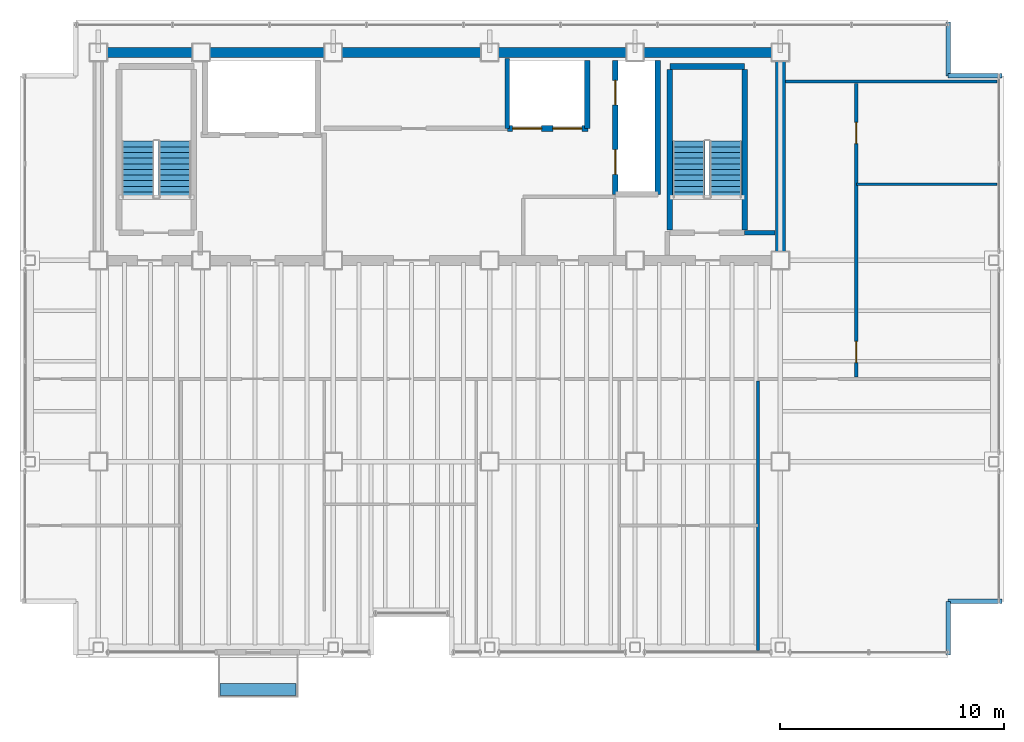
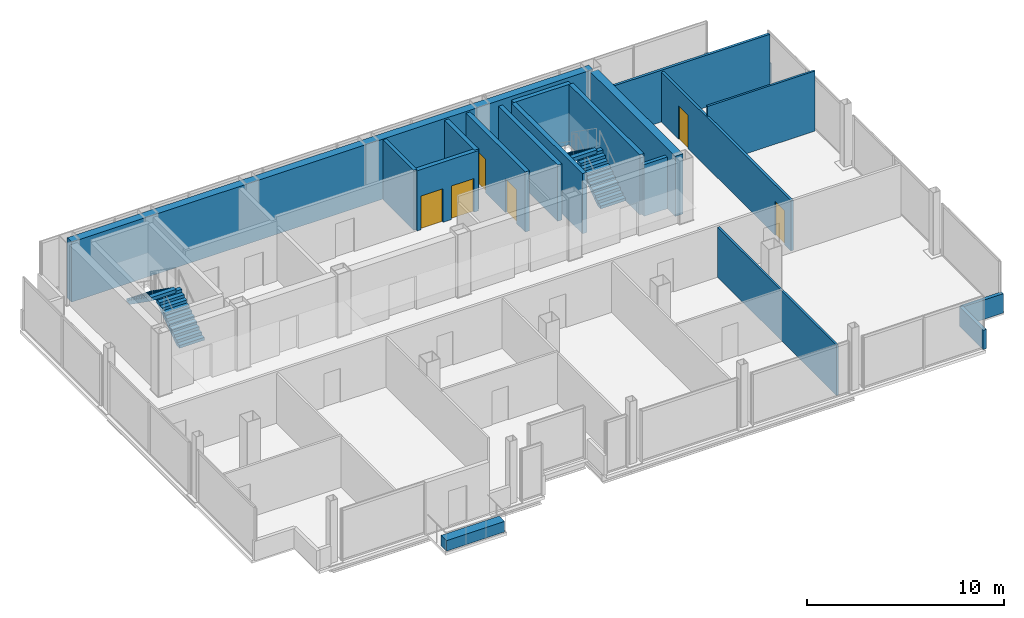
# One storey, part 14 of 15: 19 walls, 6 doors, 4 stair flights, 1 discrete accessory, 6 openings, 2 elements without a shape of their own.
"""IFC4 building model written with IfcOpenShell, lengths in metres."""

import ifcopenshell
import ifcopenshell.guid

model = None  # the IFC model being written
_history = None  # IfcOwnerHistory: only IFC2X3 demands one
_inside = {}  # id of a spatial element -> (the spatial element, [elements in it])
_under = {}  # id of a project, library or spatial element -> (it, [spatial elements below it])
_declared = {}  # id of a project -> (the project, [libraries it declares])
_typed = {}  # id of a type object -> (the type object, [elements of that type])
_made_of = {}  # id of a material, layer set ... -> (it, [elements and type objects made of it])


def new_model(schema):
    """Start an empty IFC model of exactly this schema.

    Asked for "IFC4X3", IfcOpenShell would pick the latest addendum, in which some entities
    have other attributes; the version numbers below select the first issue.
    IFC2X3 requires an IfcOwnerHistory on every rooted entity: one is made here for all.
    """
    global model, _history
    if schema == "IFC4X3":
        model = ifcopenshell.file(schema_version=(4, 3, 0, 0))
    else:
        model = ifcopenshell.file(schema=schema)
    _inside.clear()
    _under.clear()
    _declared.clear()
    _typed.clear()
    _made_of.clear()
    _history = None
    if model.schema == "IFC2X3":
        org = make("IfcOrganization", Name="unknown")
        user = make(
            "IfcPersonAndOrganization",
            ThePerson=make("IfcPerson", FamilyName="unknown"),
            TheOrganization=org,
        )
        app = make(
            "IfcApplication",
            ApplicationDeveloper=org,
            Version="unknown",
            ApplicationFullName="unknown",
            ApplicationIdentifier="unknown",
        )
        _history = make(
            "IfcOwnerHistory",
            OwningUser=user,
            OwningApplication=app,
            ChangeAction="ADDED",
            CreationDate=0,
        )
    return model


def make(cls, **values):
    """One entity of the class cls with the attributes given. An attribute that is None is left unset."""
    return model.create_entity(
        cls, **{name: value for name, value in values.items() if value is not None}
    )


def rooted(cls, **values):
    """An entity with a GlobalId (a new one), such as an element, a storey or a relation."""
    return make(cls, GlobalId=ifcopenshell.guid.new(), OwnerHistory=_history, **values)


def si_unit(unit_type, name, prefix=None):
    """IfcSIUnit, for example si_unit("LENGTHUNIT", "METRE", prefix="MILLI")."""
    return make("IfcSIUnit", UnitType=unit_type, Prefix=prefix, Name=name)


def assignment(units):
    """IfcUnitAssignment: the units of a project."""
    return None if units is None else make("IfcUnitAssignment", Units=units)


def point(xyz):
    """IfcCartesianPoint."""
    return None if xyz is None else make("IfcCartesianPoint", Coordinates=xyz)


def direction(xyz):
    """IfcDirection."""
    return None if xyz is None else make("IfcDirection", DirectionRatios=xyz)


def frame(location, z_axis=None, x_axis=None):
    """IfcAxis2Placement3D, a coordinate frame: its origin and axes. An axis left out is left unset."""
    return make(
        "IfcAxis2Placement3D",
        Location=point(location),
        Axis=direction(z_axis),
        RefDirection=direction(x_axis),
    )


def frame_2d(location, x_axis=None):
    """IfcAxis2Placement2D, a coordinate frame in the plane: its origin and x axis."""
    return make(
        "IfcAxis2Placement2D", Location=point(location), RefDirection=direction(x_axis)
    )


def origin():
    """The frame at (0, 0, 0) with its axes left unset."""
    return frame((0.0, 0.0, 0.0))


def origin_2d():
    """The frame at (0, 0) in the plane with its x axis left unset."""
    return frame_2d((0.0, 0.0))


def place(relative_to, where):
    """IfcLocalPlacement: puts the frame where relative to a parent placement (None: the world)."""
    return make(
        "IfcLocalPlacement", PlacementRelTo=relative_to, RelativePlacement=where
    )


def context(
    kind, dimensions, precision=None, world=None, true_north=None, identifier=None
):
    """IfcGeometricRepresentationContext, for example the 3D "Model" context."""
    return make(
        "IfcGeometricRepresentationContext",
        ContextIdentifier=identifier,
        ContextType=kind,
        CoordinateSpaceDimension=dimensions,
        Precision=precision,
        WorldCoordinateSystem=world,
        TrueNorth=true_north,
    )


def subcontext(parent, identifier, kind, view, scale=None):
    """IfcGeometricRepresentationSubContext, for example "Body" below "Model"."""
    return make(
        "IfcGeometricRepresentationSubContext",
        ContextIdentifier=identifier,
        ContextType=kind,
        ParentContext=parent,
        TargetScale=scale,
        TargetView=view,
    )


def project(units=None, contexts=None):
    """IfcProject with its units and contexts."""
    return rooted(
        "IfcProject",
        Name="project",
        RepresentationContexts=contexts,
        UnitsInContext=assignment(units),
    )


def spatial(cls, under=None, at=None, **own):
    """A site, building, storey or space (cls), placed at a placement, below another one or the project."""
    s = rooted(cls, ObjectPlacement=at, **own)
    if under is not None:
        _under.setdefault(under.id(), (under, []))[1].append(s)
    return s


def polyline(points):
    """IfcPolyline through the points."""
    return make("IfcPolyline", Points=[point(p) for p in points])


def profile(cls, at=None, kind="AREA", **sizes):
    """A parametric profile (cls). Its sizes go by their IFC names, for example OverallWidth=200.0."""
    return make(cls, ProfileType=kind, Position=at, **sizes)


def rectangle(**sizes):
    """IfcRectangleProfileDef."""
    return profile("IfcRectangleProfileDef", **sizes)


def outline(outer, holes=None, kind="AREA"):
    """IfcArbitraryClosedProfileDef: a profile drawn as a closed curve; with holes, ...WithVoids."""
    if holes is None:
        return make("IfcArbitraryClosedProfileDef", ProfileType=kind, OuterCurve=outer)
    return make(
        "IfcArbitraryProfileDefWithVoids",
        ProfileType=kind,
        OuterCurve=outer,
        InnerCurves=holes,
    )


def extrude(swept, where, along, depth):
    """IfcExtrudedAreaSolid: the profile swept, set in the frame where, extruded along a direction by depth."""
    return make(
        "IfcExtrudedAreaSolid",
        SweptArea=swept,
        Position=where,
        ExtrudedDirection=direction(along),
        Depth=depth,
    )


def shape(context_of_items, identifier, shape_type, items):
    """IfcShapeRepresentation: the items that make up one representation, for example the "Body"."""
    return make(
        "IfcShapeRepresentation",
        ContextOfItems=context_of_items,
        RepresentationIdentifier=identifier,
        RepresentationType=shape_type,
        Items=items,
    )


def material(Name=None, Category=None):
    """IfcMaterial."""
    return make("IfcMaterial", Name=Name, Category=Category)


def layer(
    of_material, thickness, ventilated=None, Name=None, Category=None, Priority=None
):
    """IfcMaterialLayer: one layer of a wall or slab, of a material (None: an air gap)."""
    return make(
        "IfcMaterialLayer",
        Material=of_material,
        LayerThickness=thickness,
        IsVentilated=ventilated,
        Name=Name,
        Category=Category,
        Priority=Priority,
    )


def layer_set(layers, Name=None):
    """IfcMaterialLayerSet."""
    return make("IfcMaterialLayerSet", MaterialLayers=layers, LayerSetName=Name)


def made_of(thing, what):
    """Note that an element or type object is made of a material, layer set ...; save() writes the relation."""
    if what is not None:
        _made_of.setdefault(what.id(), (what, []))[1].append(thing)
    return thing


def type_object(cls, material=None, **own):
    """A type object (cls), such as IfcWallType, which elements share."""
    return made_of(rooted(cls, **own), material)


def element(
    cls,
    number,
    at=None,
    inside=None,
    cuts=None,
    type_object=None,
    material=None,
    context=None,
    identifier="Body",
    shape_type=None,
    held_by="IfcProductDefinitionShape",
    body=None,
    shapes=None,
    **own,
):
    """One element of the class cls, such as IfcWall. Its Tag is "e" and its number.

    at: its placement. inside: the storey or other place that contains it. cuts: it is an
    opening in that element (IfcRelVoidsElement). A single representation is given by context,
    identifier, shape_type and body (its items); several are given by shapes. held_by: the class
    of the entity that holds the representations. save() writes the other relations.
    """
    e = rooted(cls, Tag="e%d" % number, ObjectPlacement=at, **own)
    if body is not None:
        shapes = [shape(context, identifier, shape_type, body)]
    if shapes is not None:
        e.Representation = make(held_by, Representations=shapes)
    if inside is not None:
        _inside.setdefault(inside.id(), (inside, []))[1].append(e)
    if cuts is not None:
        rooted(
            "IfcRelVoidsElement", RelatingBuildingElement=cuts, RelatedOpeningElement=e
        )
    if type_object is not None:
        _typed.setdefault(type_object.id(), (type_object, []))[1].append(e)
    return made_of(e, material)


def fill(opening, filler):
    """IfcRelFillsElement: the door or window that sits in an opening."""
    return rooted(
        "IfcRelFillsElement",
        RelatingOpeningElement=opening,
        RelatedBuildingElement=filler,
    )


def aggregate(whole, parts):
    """IfcRelAggregates: a whole, such as a stair, and the parts it consists of."""
    return rooted("IfcRelAggregates", RelatingObject=whole, RelatedObjects=parts)


def save(model, path):
    """Write the relations noted so far, then the file.

    IfcRelAggregates (storeys below a building ...), IfcRelContainedInSpatialStructure (elements
    in a storey), IfcRelDefinesByType, IfcRelAssociatesMaterial and IfcRelDeclares: one each for
    every whole, place, type object, material and project.
    """
    for whole, parts in _under.values():
        aggregate(whole, parts)
    for where, things in _inside.values():
        rooted(
            "IfcRelContainedInSpatialStructure",
            RelatedElements=things,
            RelatingStructure=where,
        )
    for kind, things in _typed.values():
        rooted("IfcRelDefinesByType", RelatedObjects=things, RelatingType=kind)
    for what, things in _made_of.values():
        rooted("IfcRelAssociatesMaterial", RelatedObjects=things, RelatingMaterial=what)
    for by, libraries in _declared.values():
        rooted("IfcRelDeclares", RelatingContext=by, RelatedDefinitions=libraries)
    model.write(path)


model = new_model("IFC4")

# Units and contexts
model_context = context("Model", 3, precision=1e-05, world=origin(), true_north=direction((0.0, 1.0)))
body_context = subcontext(model_context, "Body", "Model", "MODEL_VIEW")
ifc_project = project(units=[si_unit("LENGTHUNIT", "METRE"), si_unit("AREAUNIT", "SQUARE_METRE"), si_unit("VOLUMEUNIT", "CUBIC_METRE"), si_unit("PLANEANGLEUNIT", "RADIAN"), si_unit("MASSUNIT", "GRAM", prefix="KILO")], contexts=[model_context])

# Site, building, storey
site_placement = place(None, origin())
site = spatial("IfcSite", under=ifc_project, at=site_placement, CompositionType="ELEMENT")
building_placement = place(site_placement, origin())
building = spatial("IfcBuilding", under=site, at=building_placement, Name="Noeulbin Bourse Tower", CompositionType="ELEMENT")
storey_placement = place(building_placement, frame((0.0, 0.0, 218.89990234375)))
storey = spatial("IfcBuildingStorey", under=building, at=storey_placement, Name="L54", CompositionType="ELEMENT", Elevation=218.89990234375)

# Walls
ifc_material_1 = material(Name="Concrete C50/60", Category="concrete")
ifc_layer_1 = layer(ifc_material_1, 0.449951171875)
ifc_layer_set_1 = layer_set([ifc_layer_1], Name="Concrete C50/60")
wall_type_1 = type_object("IfcWallType", Name="WAL-CORE-450", PredefinedType="SHEAR", material=ifc_layer_set_1)
wall_1_placement = place(storey_placement, frame((13.5, 38.300048828125, 0.0), z_axis=(0.0, 0.0, 1.0), x_axis=(1.0, 0.0, 0.0)))
element("IfcWall", 1, at=wall_1_placement, inside=storey, type_object=wall_type_1, Name="Rear Core North Shear Wall L54", PredefinedType="SHEAR", context=body_context, shape_type="SweptSolid", body=[
    extrude(rectangle(XDim=30.5, YDim=0.449951171875, at=frame_2d((15.25, 0.0))), origin(), (0.0, 0.0, 1.0), 3.72021484375),
])
wall_2_placement = place(storey_placement, frame((44.0, 29.35009765625, 0.0), z_axis=(0.0, 0.0, 1.0), x_axis=(0.0, 1.0, 0.0)))
element("IfcWall", 2, at=wall_2_placement, inside=storey, type_object=wall_type_1, Name="Rear Core East Shear Wall L54", PredefinedType="SHEAR", context=body_context, shape_type="SweptSolid", body=[
    extrude(rectangle(XDim=8.599853515625, YDim=0.449951171875, at=frame_2d((4.2998046875, 0.0))), origin(), (0.0, 0.0, 1.0), 3.72021484375),
])
ifc_material_2 = material(Name="Concrete C40/50", Category="concrete")
ifc_layer_2 = layer(ifc_material_2, 0.199951171875)
ifc_layer_set_2 = layer_set([ifc_layer_2], Name="Concrete C40/50")
wall_type_2 = type_object("IfcWallType", Name="WAL-FIRE-200", PredefinedType="STANDARD", material=ifc_layer_set_2)
wall_3_placement = place(storey_placement, frame((42.39990234375, 30.239990234375, 0.0), z_axis=(0.0, 0.0, 1.0), x_axis=(1.0, 0.0, 0.0)))
element("IfcWall", 3, at=wall_3_placement, inside=storey, type_object=wall_type_2, Name="Interior Partition Wall L54-01", PredefinedType="STANDARD", context=body_context, shape_type="SweptSolid", body=[
    extrude(rectangle(XDim=1.364990234375, YDim=0.199951171875, at=frame_2d((0.6826171875, 0.0))), origin(), (0.0, 0.0, 1.0), 3.2001953125),
])
ifc_layer_3 = layer(ifc_material_2, 0.199951171875)
ifc_layer_set_3 = layer_set([ifc_layer_3], Name="Concrete C40/50")
wall_type_3 = type_object("IfcWallType", Name="WAL-PAR-200", PredefinedType="PARAPET", material=ifc_layer_set_3)
for number, where, z_axis, x_axis, name in (
    (4, (51.5, 11.35009765625, 0.0), (0.0, 0.0, 1.0), (0.0, 1.0, 0.0), "Corner Notch Parapet L54-SE1"),
    (5, (51.5, 13.75, 0.0), (0.0, 0.0, 1.0), (1.0, 0.0, 0.0), "Corner Notch Parapet L54-SE2"),
    (6, (51.5, 39.64990234375, 0.0), (0.0, 0.0, 1.0), (0.0, -1.0, 0.0), "Corner Notch Parapet L54-NE1"),
    (7, (51.5, 37.25, 0.0), (0.0, 0.0, 1.0), (1.0, 0.0, 0.0), "Corner Notch Parapet L54-NE2"),
):
    element("IfcWall", number, at=place(storey_placement, frame(where, z_axis=z_axis, x_axis=x_axis)), inside=storey, type_object=wall_type_3, Name=name, PredefinedType="PARAPET", context=body_context, shape_type="SweptSolid", body=[
        extrude(rectangle(XDim=2.39990234375, YDim=0.199951171875, at=frame_2d((1.199951171875, 0.0))), origin(), (0.0, 0.0, 1.0), 1.2001953125),
    ])
ifc_material_3 = material(Name="Steel Stud Gypsum Partition", Category="steel")
ifc_layer_4 = layer(ifc_material_3, 0.1201171875)
ifc_layer_set_4 = layer_set([ifc_layer_4], Name="Steel Stud Gypsum Partition")
wall_type_4 = type_object("IfcWallType", Name="WAL-PRT-120", PredefinedType="PARTITIONING", material=ifc_layer_set_4)
wall_4_placement = place(storey_placement, frame((47.39990234375, 32.39990234375, 0.0), z_axis=(0.0, 0.0, 1.0), x_axis=(1.0, 0.0, 0.0)))
element("IfcWall", 8, at=wall_4_placement, inside=storey, type_object=wall_type_4, Name="Interior Partition Wall L54-09", PredefinedType="PARTITIONING", context=body_context, shape_type="SweptSolid", body=[
    extrude(rectangle(XDim=6.2900390625, YDim=0.1201171875, at=frame_2d((3.14501953125, 0.0))), origin(), (0.0, 0.0, 1.0), 3.72021484375),
])
wall_5_placement = place(storey_placement, frame((43.0, 11.56005859375, 0.0), z_axis=(0.0, 0.0, 1.0), x_axis=(0.0, 1.0, 0.0)))
element("IfcWall", 9, at=wall_5_placement, inside=storey, type_object=wall_type_4, Name="Interior Partition Wall L54-20", PredefinedType="PARTITIONING", context=body_context, shape_type="SweptSolid", body=[
    extrude(rectangle(XDim=12.054931640625, YDim=0.1201171875, at=frame_2d((6.02734375, 0.0))), origin(), (0.0, 0.0, 1.0), 3.10009765625),
])
ifc_material_4 = material(Name="Steel Stud Acoustic Gypsum Board", Category="steel")
ifc_layer_5 = layer(ifc_material_4, 0.14990234375)
ifc_layer_set_5 = layer_set([ifc_layer_5], Name="Steel Stud Acoustic Gypsum Board")
wall_type_5 = type_object("IfcWallType", Name="WAL-PRT-150", PredefinedType="PARTITIONING", material=ifc_layer_set_5)
wall_6_placement = place(storey_placement, frame((44.235107421875, 37.0, 0.0), z_axis=(0.0, 0.0, 1.0), x_axis=(1.0, 0.0, 0.0)))
element("IfcWall", 10, at=wall_6_placement, inside=storey, type_object=wall_type_5, Name="Interior Partition Wall L54-05", PredefinedType="PARTITIONING", context=body_context, shape_type="SweptSolid", body=[
    extrude(rectangle(XDim=9.454833984375, YDim=0.14990234375, at=frame_2d((4.7275390625, 0.0))), origin(), (0.0, 0.0, 1.0), 3.2001953125),
])

# Wall, openings, doors
wall_7_placement = place(storey_placement, frame((47.39990234375, 23.784912109375, 0.0), z_axis=(0.0, 0.0, 1.0), x_axis=(0.0, 1.0, 0.0)))
wall_7 = element("IfcWall", 11, at=wall_7_placement, inside=storey, type_object=wall_type_5, Name="Interior Partition Wall L54-15", PredefinedType="PARTITIONING", context=body_context, shape_type="SweptSolid", body=[
    extrude(rectangle(XDim=13.130126953125, YDim=0.14990234375, at=frame_2d((6.56494140625, 0.0))), origin(), (0.0, 0.0, 1.0), 3.10009765625),
])
opening_1_placement = place(wall_7_placement, frame((0.639892578125, 0.0, 0.0)))
opening_1 = element("IfcOpeningElement", 12, at=opening_1_placement, cuts=wall_7, Name="Opening ID-09", PredefinedType="OPENING", context=body_context, shape_type="SweptSolid", body=[
    extrude(rectangle(XDim=0.949951171875, YDim=2.080078125, at=frame_2d((0.47509765625, 1.0400390625))), frame((0.0, 0.0849609375, 0.0), z_axis=(0.0, -1.0, 0.0), x_axis=(1.0, 0.0, 0.0)), (0.0, 0.0, 1.0), 0.169921875),
])
opening_2_placement = place(wall_7_placement, frame((10.43994140625, 0.0, 0.0)))
opening_2 = element("IfcOpeningElement", 13, at=opening_2_placement, cuts=wall_7, Name="Opening ID-09", PredefinedType="OPENING", context=body_context, shape_type="SweptSolid", body=[
    extrude(rectangle(XDim=0.949951171875, YDim=2.080078125, at=frame_2d((0.47509765625, 1.0400390625))), frame((0.0, 0.0849609375, 0.0), z_axis=(0.0, -1.0, 0.0), x_axis=(1.0, 0.0, 0.0)), (0.0, 0.0, 1.0), 0.169921875),
])
ifc_material_5 = material(Name="Acoustic Solid-Core Timber", Category="wood")
door_type_1 = type_object("IfcDoorType", Name="DR-SINGLE-950", OperationType="SINGLE_SWING_LEFT", PredefinedType="DOOR", material=ifc_material_5)
door_1_placement = place(opening_1_placement, origin())
door_1 = element("IfcDoor", 14, at=door_1_placement, inside=storey, type_object=door_type_1, Name="Interior Door L54-16", OperationType="SINGLE_SWING_RIGHT", OverallHeight=2.080078125, OverallWidth=0.949951171875, PredefinedType="DOOR", context=body_context, shape_type="SweptSolid", body=[
    extrude(rectangle(XDim=0.949951171875, YDim=2.080078125, at=frame_2d((0.47509765625, 1.0400390625))), frame((0.0, 0.02490234375, 0.0), z_axis=(0.0, -1.0, 0.0), x_axis=(1.0, 0.0, 0.0)), (0.0, 0.0, 1.0), 0.050048828125),
])
fill(opening_1, door_1)
door_2_placement = place(opening_2_placement, origin())
door_2 = element("IfcDoor", 15, at=door_2_placement, inside=storey, type_object=door_type_1, Name="Interior Door L54-17", OperationType="SINGLE_SWING_LEFT", OverallHeight=2.080078125, OverallWidth=0.949951171875, PredefinedType="DOOR", context=body_context, shape_type="SweptSolid", body=[
    extrude(rectangle(XDim=0.949951171875, YDim=2.080078125, at=frame_2d((0.47509765625, 1.0400390625))), frame((0.0, 0.02490234375, 0.0), z_axis=(0.0, -1.0, 0.0), x_axis=(1.0, 0.0, 0.0)), (0.0, 0.0, 1.0), 0.050048828125),
])
fill(opening_2, door_2)

# Walls
ifc_layer_6 = layer(ifc_material_2, 0.25)
ifc_layer_set_6 = layer_set([ifc_layer_6], Name="Concrete C40/50")
wall_type_6 = type_object("IfcWallType", Name="WAL-SHFT-250", PredefinedType="STANDARD", material=ifc_layer_set_6)
wall_8_placement = place(storey_placement, frame((39.06005859375, 37.6689453125, 0.0), z_axis=(0.0, 0.0, 1.0), x_axis=(1.0, 0.0, 0.0)))
element("IfcWall", 16, at=wall_8_placement, inside=storey, type_object=wall_type_6, Name="Stair ST-2 North Shaft Wall L54", PredefinedType="STANDARD", context=body_context, shape_type="SweptSolid", body=[
    extrude(rectangle(XDim=3.33984375, YDim=0.25, at=frame_2d((1.669921875, 0.0))), origin(), (0.0, 0.0, 1.0), 3.72021484375),
])
for number, where, z_axis, x_axis, name in (
    (17, (39.054931640625, 30.360107421875, 0.0), (0.0, 0.0, 1.0), (0.0, 1.0, 0.0), "Stair ST-2 West Shaft Wall L54"),
    (18, (42.405029296875, 30.360107421875, 0.0), (0.0, 0.0, 1.0), (0.0, 1.0, 0.0), "Stair ST-2 East Shaft Wall L54"),
):
    element("IfcWall", number, at=place(storey_placement, frame(where, z_axis=z_axis, x_axis=x_axis)), inside=storey, type_object=wall_type_6, Name=name, PredefinedType="STANDARD", context=body_context, shape_type="SweptSolid", body=[
        extrude(rectangle(XDim=7.183837890625, YDim=0.25, at=frame_2d((3.591796875, 0.0))), origin(), (0.0, 0.0, 1.0), 3.72021484375),
    ])

# Wall, openings, doors
wall_9_placement = place(storey_placement, frame((36.6201171875, 31.949951171875, 0.0), z_axis=(0.0, 0.0, 1.0), x_axis=(0.0, 1.0, 0.0)))
wall_9 = element("IfcWall", 19, at=wall_9_placement, inside=storey, type_object=wall_type_6, Name="Service Lift Shaft Wall L54", PredefinedType="STANDARD", context=body_context, shape_type="SweptSolid", body=[
    extrude(rectangle(XDim=6.0, YDim=0.25, at=frame_2d((3.0, 0.0))), origin(), (0.0, 0.0, 1.0), 3.72021484375),
])
opening_3_placement = place(wall_9_placement, frame((0.89990234375, 0.0, 0.0)))
opening_3 = element("IfcOpeningElement", 20, at=opening_3_placement, cuts=wall_9, Name="Opening LD-11", PredefinedType="OPENING", context=body_context, shape_type="SweptSolid", body=[
    extrude(rectangle(XDim=1.10009765625, YDim=2.080078125, at=frame_2d((0.550048828125, 1.0400390625))), frame((0.0, 0.135009765625, 0.0), z_axis=(0.0, -1.0, 0.0), x_axis=(1.0, 0.0, 0.0)), (0.0, 0.0, 1.0), 0.27001953125),
])
opening_4_placement = place(wall_9_placement, frame((4.0, 0.0, 0.0)))
opening_4 = element("IfcOpeningElement", 21, at=opening_4_placement, cuts=wall_9, Name="Opening LD-11", PredefinedType="OPENING", context=body_context, shape_type="SweptSolid", body=[
    extrude(rectangle(XDim=1.10009765625, YDim=2.080078125, at=frame_2d((0.550048828125, 1.0400390625))), frame((0.0, 0.135009765625, 0.0), z_axis=(0.0, -1.0, 0.0), x_axis=(1.0, 0.0, 0.0)), (0.0, 0.0, 1.0), 0.27001953125),
])
ifc_material_6 = material(Name="Brushed Stainless Steel 316", Category="steel")
door_type_2 = type_object("IfcDoorType", Name="DR-LIFT-1100", OperationType="SLIDING_TO_LEFT", PredefinedType="DOOR", material=ifc_material_6)
door_3_placement = place(opening_3_placement, origin())
door_3 = element("IfcDoor", 22, at=door_3_placement, inside=storey, type_object=door_type_2, Name="Lift Landing Door LD-EL-01-L54", OperationType="SLIDING_TO_LEFT", OverallHeight=2.080078125, OverallWidth=1.10009765625, PredefinedType="DOOR", context=body_context, shape_type="SweptSolid", body=[
    extrude(rectangle(XDim=1.10009765625, YDim=2.080078125, at=frame_2d((0.550048828125, 1.0400390625))), frame((0.0, 0.02490234375, 0.0), z_axis=(0.0, -1.0, 0.0), x_axis=(1.0, 0.0, 0.0)), (0.0, 0.0, 1.0), 0.050048828125),
])
fill(opening_3, door_3)
door_4_placement = place(opening_4_placement, origin())
door_4 = element("IfcDoor", 23, at=door_4_placement, inside=storey, type_object=door_type_2, Name="Lift Landing Door LD-SV-01-L54", OperationType="SLIDING_TO_LEFT", OverallHeight=2.080078125, OverallWidth=1.10009765625, PredefinedType="DOOR", context=body_context, shape_type="SweptSolid", body=[
    extrude(rectangle(XDim=1.10009765625, YDim=2.080078125, at=frame_2d((0.550048828125, 1.0400390625))), frame((0.0, 0.02490234375, 0.0), z_axis=(0.0, -1.0, 0.0), x_axis=(1.0, 0.0, 0.0)), (0.0, 0.0, 1.0), 0.050048828125),
])
fill(opening_4, door_4)

# Walls
wall_10_placement = place(storey_placement, frame((38.52001953125, 31.949951171875, 0.0), z_axis=(0.0, 0.0, 1.0), x_axis=(0.0, 1.0, 0.0)))
element("IfcWall", 24, at=wall_10_placement, inside=storey, type_object=wall_type_6, Name="Service Lift East Shaft Wall L54", PredefinedType="STANDARD", context=body_context, shape_type="SweptSolid", body=[
    extrude(rectangle(XDim=6.0, YDim=0.25, at=frame_2d((3.0, 0.0))), origin(), (0.0, 0.0, 1.0), 3.47998046875),
])
wall_11_placement = place(storey_placement, frame((35.360107421875, 34.89990234375, 0.0), z_axis=(0.0, 0.0, 1.0), x_axis=(0.0, 1.0, 0.0)))
element("IfcWall", 25, at=wall_11_placement, inside=storey, type_object=wall_type_6, Name="High-Rise Lift East Shaft Wall L54", PredefinedType="STANDARD", context=body_context, shape_type="SweptSolid", body=[
    extrude(rectangle(XDim=3.050048828125, YDim=0.25, at=frame_2d((1.52490234375, 0.0))), origin(), (0.0, 0.0, 1.0), 3.72021484375),
])

# Wall, openings, doors
wall_12_placement = place(storey_placement, frame((31.800048828125, 34.89990234375, 0.0), z_axis=(0.0, 0.0, 1.0), x_axis=(1.0, 0.0, 0.0)))
wall_12 = element("IfcWall", 26, at=wall_12_placement, inside=storey, type_object=wall_type_6, Name="High-Rise Lift Bank Front L54", PredefinedType="STANDARD", context=body_context, shape_type="SweptSolid", body=[
    extrude(rectangle(XDim=3.599853515625, YDim=0.25, at=frame_2d((1.7998046875, 0.0))), origin(), (0.0, 0.0, 1.0), 3.72021484375),
])
opening_5_placement = place(wall_12_placement, frame((0.22998046875, 0.0, 0.0)))
opening_5 = element("IfcOpeningElement", 27, at=opening_5_placement, cuts=wall_12, Name="Opening LD-13", PredefinedType="OPENING", context=body_context, shape_type="SweptSolid", body=[
    extrude(rectangle(XDim=1.300048828125, YDim=2.080078125, at=frame_2d((0.64990234375, 1.0400390625))), frame((0.0, 0.135009765625, 0.0), z_axis=(0.0, -1.0, 0.0), x_axis=(1.0, 0.0, 0.0)), (0.0, 0.0, 1.0), 0.27001953125),
])
opening_6_placement = place(wall_12_placement, frame((2.030029296875, 0.0, 0.0)))
opening_6 = element("IfcOpeningElement", 28, at=opening_6_placement, cuts=wall_12, Name="Opening LD-13", PredefinedType="OPENING", context=body_context, shape_type="SweptSolid", body=[
    extrude(rectangle(XDim=1.300048828125, YDim=2.080078125, at=frame_2d((0.64990234375, 1.0400390625))), frame((0.0, 0.135009765625, 0.0), z_axis=(0.0, -1.0, 0.0), x_axis=(1.0, 0.0, 0.0)), (0.0, 0.0, 1.0), 0.27001953125),
])
door_type_3 = type_object("IfcDoorType", Name="DR-LIFT-1300", OperationType="DOUBLE_DOOR_SLIDING", PredefinedType="DOOR", material=ifc_material_6)
door_5_placement = place(opening_5_placement, origin())
door_5 = element("IfcDoor", 29, at=door_5_placement, inside=storey, type_object=door_type_3, Name="Lift Landing Door LD-PL-H1-L54", OperationType="DOUBLE_DOOR_SLIDING", OverallHeight=2.080078125, OverallWidth=1.300048828125, PredefinedType="DOOR", context=body_context, shape_type="SweptSolid", body=[
    extrude(rectangle(XDim=1.300048828125, YDim=2.080078125, at=frame_2d((0.64990234375, 1.0400390625))), frame((0.0, 0.02490234375, 0.0), z_axis=(0.0, -1.0, 0.0), x_axis=(1.0, 0.0, 0.0)), (0.0, 0.0, 1.0), 0.050048828125),
])
fill(opening_5, door_5)
door_6_placement = place(opening_6_placement, origin())
door_6 = element("IfcDoor", 30, at=door_6_placement, inside=storey, type_object=door_type_3, Name="Lift Landing Door LD-PL-H2-L54", OperationType="DOUBLE_DOOR_SLIDING", OverallHeight=2.080078125, OverallWidth=1.300048828125, PredefinedType="DOOR", context=body_context, shape_type="SweptSolid", body=[
    extrude(rectangle(XDim=1.300048828125, YDim=2.080078125, at=frame_2d((0.64990234375, 1.0400390625))), frame((0.0, 0.02490234375, 0.0), z_axis=(0.0, -1.0, 0.0), x_axis=(1.0, 0.0, 0.0)), (0.0, 0.0, 1.0), 0.050048828125),
])
fill(opening_6, door_6)

# Wall
wall_13_placement = place(storey_placement, frame((31.780029296875, 34.89990234375, 0.0), z_axis=(0.0, 0.0, 1.0), x_axis=(0.0, 1.0, 0.0)))
element("IfcWall", 31, at=wall_13_placement, inside=storey, type_object=wall_type_6, Name="Hoistway Side Shaft Wall L54-PLHW", PredefinedType="STANDARD", context=body_context, shape_type="SweptSolid", body=[
    extrude(rectangle(XDim=3.1201171875, YDim=0.199951171875, at=frame_2d((1.56005859375, 0.0))), origin(), (0.0, 0.0, 1.0), 3.72021484375),
])

# Stair, stair flights
stair_type = type_object("IfcStairType", Name="STR-CORE-1560", PredefinedType="HALF_TURN_STAIR", material=ifc_material_2)
stair_1_placement = place(storey_placement, origin())
stair_1 = element("IfcStair", 32, at=stair_1_placement, inside=storey, type_object=stair_type, Name="L54 ST-1", PredefinedType="HALF_TURN_STAIR")
stair_flight_type = type_object("IfcStairFlightType", Name="SFL-CORE-1560", PredefinedType="STRAIGHT", material=ifc_material_2)
stair_flight_1_placement = place(storey_placement, frame((16.925048828125, 31.81005859375, 0.0), z_axis=(0.0, 0.0, 1.0), x_axis=(0.0, 1.0, 0.0)))
stair_flight_1 = element("IfcStairFlight", 33, at=stair_flight_1_placement, type_object=stair_flight_type, Name="ST-1 flight 1", NumberOfRisers=11, NumberOfTreads=10, PredefinedType="STRAIGHT", RiserHeight=0.177272727, TreadLength=0.252, context=body_context, shape_type="SweptSolid", body=[
    extrude(outline(polyline([(0.0, 0.0), (0.0, 0.17724609375), (0.251953125, 0.17724609375), (0.251953125, 0.3544921875), (0.50390625, 0.3544921875), (0.50390625, 0.53173828125), (0.756103515625, 0.53173828125), (0.756103515625, 0.708984375), (1.008056640625, 0.708984375), (1.008056640625, 0.886474609375), (1.260009765625, 0.886474609375), (1.260009765625, 1.063720703125), (1.511962890625, 1.063720703125), (1.511962890625, 1.240966796875), (1.763916015625, 1.240966796875), (1.763916015625, 1.418212890625), (2.01611328125, 1.418212890625), (2.01611328125, 1.595458984375), (2.26806640625, 1.595458984375), (2.26806640625, 1.772705078125), (2.52001953125, 1.772705078125), (2.52001953125, 1.949951171875), (2.52001953125, 1.552734375), (0.312744140625, 0.0), (0.0, 0.0)])), frame((0.0, 0.72509765625, 0.0), z_axis=(0.0, -1.0, 0.0), x_axis=(1.0, 0.0, 0.0)), (0.0, 0.0, 1.0), 1.449951171875),
])
stair_flight_2_placement = place(storey_placement, frame((15.27490234375, 34.330078125, 1.9501953125), z_axis=(0.0, 0.0, 1.0), x_axis=(0.0, -1.0, 0.0)))
stair_flight_2 = element("IfcStairFlight", 34, at=stair_flight_2_placement, type_object=stair_flight_type, Name="ST-1 flight 2", NumberOfRisers=11, NumberOfTreads=10, PredefinedType="STRAIGHT", RiserHeight=0.177272727, TreadLength=0.252, context=body_context, shape_type="SweptSolid", body=[
    extrude(outline(polyline([(0.0, 0.0), (0.0, 0.17724609375), (0.251953125, 0.17724609375), (0.251953125, 0.3544921875), (0.50390625, 0.3544921875), (0.50390625, 0.53173828125), (0.756103515625, 0.53173828125), (0.756103515625, 0.708984375), (1.008056640625, 0.708984375), (1.008056640625, 0.886474609375), (1.260009765625, 0.886474609375), (1.260009765625, 1.063720703125), (1.511962890625, 1.063720703125), (1.511962890625, 1.240966796875), (1.763916015625, 1.240966796875), (1.763916015625, 1.418212890625), (2.01611328125, 1.418212890625), (2.01611328125, 1.595458984375), (2.26806640625, 1.595458984375), (2.26806640625, 1.772705078125), (2.52001953125, 1.772705078125), (2.52001953125, 1.949951171875), (2.52001953125, 1.552734375), (0.312744140625, 0.0), (0.0, 0.0)])), frame((0.0, 0.72509765625, 0.0), z_axis=(0.0, -1.0, 0.0), x_axis=(1.0, 0.0, 0.0)), (0.0, 0.0, 1.0), 1.449951171875),
])
aggregate(stair_1, [stair_flight_1, stair_flight_2])

stair_2_placement = place(storey_placement, origin())
stair_2 = element("IfcStair", 35, at=stair_2_placement, inside=storey, type_object=stair_type, Name="L54 ST-2", PredefinedType="HALF_TURN_STAIR")
stair_flight_3_placement = place(storey_placement, frame((41.554931640625, 31.81005859375, 0.0), z_axis=(0.0, 0.0, 1.0), x_axis=(0.0, 1.0, 0.0)))
stair_flight_3 = element("IfcStairFlight", 36, at=stair_flight_3_placement, type_object=stair_flight_type, Name="ST-2 flight 1", NumberOfRisers=11, NumberOfTreads=10, PredefinedType="STRAIGHT", RiserHeight=0.177272727, TreadLength=0.252, context=body_context, shape_type="SweptSolid", body=[
    extrude(outline(polyline([(0.0, 0.0), (0.0, 0.17724609375), (0.251953125, 0.17724609375), (0.251953125, 0.3544921875), (0.50390625, 0.3544921875), (0.50390625, 0.53173828125), (0.756103515625, 0.53173828125), (0.756103515625, 0.708984375), (1.008056640625, 0.708984375), (1.008056640625, 0.886474609375), (1.260009765625, 0.886474609375), (1.260009765625, 1.063720703125), (1.511962890625, 1.063720703125), (1.511962890625, 1.240966796875), (1.763916015625, 1.240966796875), (1.763916015625, 1.418212890625), (2.01611328125, 1.418212890625), (2.01611328125, 1.595458984375), (2.26806640625, 1.595458984375), (2.26806640625, 1.772705078125), (2.52001953125, 1.772705078125), (2.52001953125, 1.949951171875), (2.52001953125, 1.552734375), (0.312744140625, 0.0), (0.0, 0.0)])), frame((0.0, 0.72509765625, 0.0), z_axis=(0.0, -1.0, 0.0), x_axis=(1.0, 0.0, 0.0)), (0.0, 0.0, 1.0), 1.449951171875),
])
stair_flight_4_placement = place(storey_placement, frame((39.905029296875, 34.330078125, 1.9501953125), z_axis=(0.0, 0.0, 1.0), x_axis=(0.0, -1.0, 0.0)))
stair_flight_4 = element("IfcStairFlight", 37, at=stair_flight_4_placement, type_object=stair_flight_type, Name="ST-2 flight 2", NumberOfRisers=11, NumberOfTreads=10, PredefinedType="STRAIGHT", RiserHeight=0.177272727, TreadLength=0.252, context=body_context, shape_type="SweptSolid", body=[
    extrude(outline(polyline([(0.0, 0.0), (0.0, 0.17724609375), (0.251953125, 0.17724609375), (0.251953125, 0.3544921875), (0.50390625, 0.3544921875), (0.50390625, 0.53173828125), (0.756103515625, 0.53173828125), (0.756103515625, 0.708984375), (1.008056640625, 0.708984375), (1.008056640625, 0.886474609375), (1.260009765625, 0.886474609375), (1.260009765625, 1.063720703125), (1.511962890625, 1.063720703125), (1.511962890625, 1.240966796875), (1.763916015625, 1.240966796875), (1.763916015625, 1.418212890625), (2.01611328125, 1.418212890625), (2.01611328125, 1.595458984375), (2.26806640625, 1.595458984375), (2.26806640625, 1.772705078125), (2.52001953125, 1.772705078125), (2.52001953125, 1.949951171875), (2.52001953125, 1.552734375), (0.312744140625, 0.0), (0.0, 0.0)])), frame((0.0, 0.72509765625, 0.0), z_axis=(0.0, -1.0, 0.0), x_axis=(1.0, 0.0, 0.0)), (0.0, 0.0, 1.0), 1.449951171875),
])
aggregate(stair_2, [stair_flight_3, stair_flight_4])

# Discrete accessory
ifc_material_7 = material(Name="Architectural GFRC Concrete C40/50", Category="concrete")
ifc_layer_7 = layer(ifc_material_7, 0.64990234375)
ifc_layer_set_7 = layer_set([ifc_layer_7], Name="Architectural GFRC Concrete C40/50")
discrete_accessory_type = type_object("IfcDiscreteAccessoryType", Name="PLANTER-BOX-3600", PredefinedType="USERDEFINED", material=ifc_layer_set_7)
discrete_accessory_placement = place(storey_placement, frame((20.64990234375, 9.81005859375, 0.000244140625), z_axis=(0.0, 0.0, 1.0), x_axis=(1.0, 0.0, 0.0)))
element("IfcDiscreteAccessory", 38, at=discrete_accessory_placement, inside=storey, type_object=discrete_accessory_type, Name="Integrated Balcony Tree Planter Box L54", ObjectType="PLANTER", PredefinedType="USERDEFINED", context=body_context, shape_type="SweptSolid", body=[
    extrude(rectangle(XDim=3.39990234375, YDim=0.550048828125, at=origin_2d()), origin(), (0.0, 0.0, 1.0), 0.64990234375),
])

save(model, "model.ifc")
